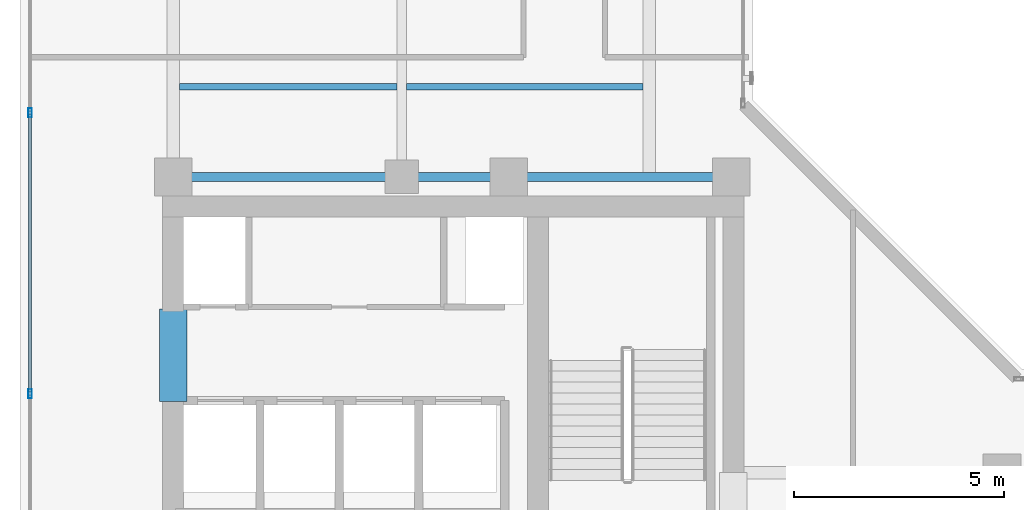
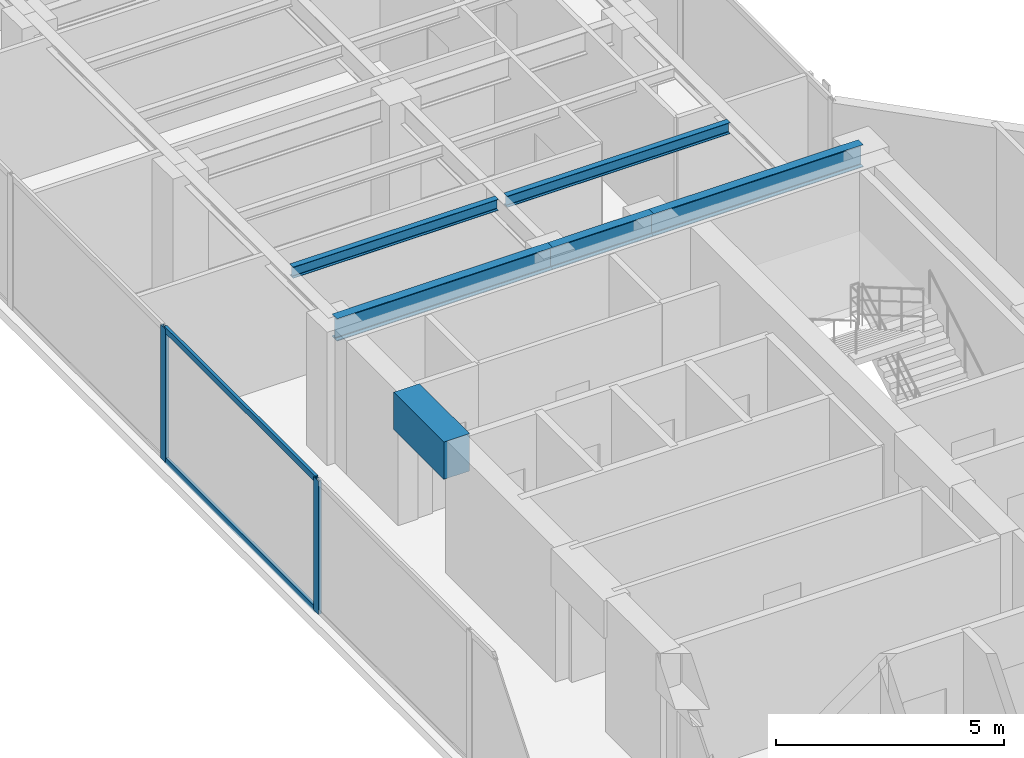
# One storey, part 7 of 22: 6 beams, 4 members, 1 element without a shape of its own.
"""IFC4 building model written with IfcOpenShell, lengths in metres."""

from ifc_helpers import new_model, si_unit, direction, frame, origin, origin_with_axes, origin_2d, place, context, subcontext, project, spatial, rectangle, hollow_rectangle, i_section, extrude, source, transform, mapped, material, layer, layer_set, material_profile, profile_set, type_object, element, aggregate, save


model = new_model("IFC4")

# Units and contexts
model_context = context("Model", 3, precision=1e-05, world=origin(), true_north=direction((0.0, 1.0)))
body_context = subcontext(model_context, "Body", "Model", "MODEL_VIEW")
ifc_project = project(units=[si_unit("LENGTHUNIT", "METRE"), si_unit("AREAUNIT", "SQUARE_METRE"), si_unit("VOLUMEUNIT", "CUBIC_METRE"), si_unit("PLANEANGLEUNIT", "RADIAN"), si_unit("MASSUNIT", "GRAM", prefix="KILO")], contexts=[model_context])

# Site, building, storey
site_placement = place(None, origin())
site = spatial("IfcSite", under=ifc_project, at=site_placement, CompositionType="ELEMENT")
building_placement = place(site_placement, origin())
building = spatial("IfcBuilding", under=site, at=building_placement, Name="Kolvaren Waterfront Exchange", CompositionType="ELEMENT")
storey_placement = place(building_placement, frame((0.0, 0.0, 308.39990234375)))
storey = spatial("IfcBuildingStorey", under=building, at=storey_placement, Name="L79", CompositionType="ELEMENT", Elevation=308.39990234375)

# Beams
ifc_material_1 = material(Name="Steel S355", Category="steel")
ifc_material_profile_1 = material_profile(ifc_material_1, i_section(OverallWidth=0.14990234375, OverallDepth=0.300048828125, WebThickness=0.007080078125, FlangeThickness=0.0107421875, FilletRadius=0.014892578125, at=origin_2d()), Name="IPE300")
ifc_profile_set_1 = profile_set([ifc_material_profile_1], Name="Steel S355")
beam_type_1 = type_object("IfcBeamType", Name="STR-BM-IPE300", PredefinedType="JOIST", material=ifc_profile_set_1)
beam_1_placement = place(storey_placement, frame((7.60205078125, 26.60009765625, 3.41015625), z_axis=(1.0, 0.0, 0.0), x_axis=(0.0, 1.0, 0.0)))
element("IfcBeam", 1, at=beam_1_placement, inside=storey, type_object=beam_type_1, Name="L79 north-arm composite joist 1A", PredefinedType="JOIST", context=body_context, shape_type="SweptSolid", body=[
    extrude(i_section(OverallWidth=0.14990234375, OverallDepth=0.300048828125, WebThickness=0.007080078125, FlangeThickness=0.0107421875, FilletRadius=0.014892578125, at=origin_2d()), origin(), (0.0, 0.0, 1.0), 5.18603515625),
])
beam_2_placement = place(storey_placement, frame((13.011962890625, 26.60009765625, 3.41015625), z_axis=(1.0, 0.0, 0.0), x_axis=(0.0, 1.0, 0.0)))
element("IfcBeam", 2, at=beam_2_placement, inside=storey, type_object=beam_type_1, Name="L79 north-arm composite joist 1B", PredefinedType="JOIST", context=body_context, shape_type="SweptSolid", body=[
    extrude(i_section(OverallWidth=0.14990234375, OverallDepth=0.300048828125, WebThickness=0.007080078125, FlangeThickness=0.0107421875, FilletRadius=0.014892578125, at=origin_2d()), origin(), (0.0, 0.0, 1.0), 5.635986328125),
])
ifc_material_profile_2 = material_profile(ifc_material_1, i_section(OverallWidth=0.219970703125, OverallDepth=0.60009765625, WebThickness=0.011962890625, FlangeThickness=0.01904296875, FilletRadius=0.02392578125, at=origin_2d()), Name="IPE600")
ifc_profile_set_2 = profile_set([ifc_material_profile_2], Name="Steel S355")
beam_type_2 = type_object("IfcBeamType", Name="STR-BM-IPE600", PredefinedType="BEAM", material=ifc_profile_set_2)
beam_3_placement = place(storey_placement, frame((7.449951171875, 24.449951171875, 3.260009765625), z_axis=(1.0, 0.0, 0.0), x_axis=(0.0, 1.0, 0.0)))
element("IfcBeam", 3, at=beam_3_placement, inside=storey, type_object=beam_type_2, Name="L79 north-arm girder 1A", PredefinedType="BEAM", context=body_context, shape_type="SweptSolid", body=[
    extrude(i_section(OverallWidth=0.219970703125, OverallDepth=0.60009765625, WebThickness=0.011962890625, FlangeThickness=0.01904296875, FilletRadius=0.02392578125, at=origin_2d()), origin(), (0.0, 0.0, 1.0), 5.449951171875),
])
beam_4_placement = place(storey_placement, frame((12.89990234375, 24.449951171875, 3.260009765625), z_axis=(1.0, 0.0, 0.0), x_axis=(0.0, 1.0, 0.0)))
element("IfcBeam", 4, at=beam_4_placement, inside=storey, type_object=beam_type_2, Name="L79 north-arm girder 1B", PredefinedType="BEAM", context=body_context, shape_type="SweptSolid", body=[
    extrude(i_section(OverallWidth=0.219970703125, OverallDepth=0.60009765625, WebThickness=0.011962890625, FlangeThickness=0.01904296875, FilletRadius=0.02392578125, at=origin_2d()), origin(), (0.0, 0.0, 1.0), 2.550048828125),
])
beam_5_placement = place(storey_placement, frame((15.449951171875, 24.449951171875, 3.260009765625), z_axis=(1.0, 0.0, 0.0), x_axis=(0.0, 1.0, 0.0)))
element("IfcBeam", 5, at=beam_5_placement, inside=storey, type_object=beam_type_2, Name="L79 north-arm girder 1C", PredefinedType="BEAM", context=body_context, shape_type="SweptSolid", body=[
    extrude(i_section(OverallWidth=0.219970703125, OverallDepth=0.60009765625, WebThickness=0.011962890625, FlangeThickness=0.01904296875, FilletRadius=0.02392578125, at=origin_2d()), origin(), (0.0, 0.0, 1.0), 5.300048828125),
])
ifc_material_2 = material(Name="Concrete C60/75", Category="concrete")
ifc_material_profile_3 = material_profile(ifc_material_2, rectangle(XDim=0.64990234375, YDim=1.0, at=origin_2d()), Name="RC-CB-1000x650")
ifc_profile_set_3 = profile_set([ifc_material_profile_3], Name="Concrete C60/75")
beam_type_3 = type_object("IfcBeamType", Name="STR-CB-1000", PredefinedType="SPANDREL", material=ifc_profile_set_3)
beam_6_placement = place(storey_placement, frame((7.449951171875, 19.10009765625, 3.06005859375), z_axis=(0.0, 1.0, 0.0), x_axis=(-1.0, 0.0, 0.0)))
element("IfcBeam", 6, at=beam_6_placement, inside=storey, type_object=beam_type_3, Name="L79 core coupling beam 5", PredefinedType="SPANDREL", context=body_context, shape_type="SweptSolid", body=[
    extrude(rectangle(XDim=0.64990234375, YDim=1.0, at=origin_2d()), origin(), (0.0, 0.0, 1.0), 2.199951171875),
])

# Curtain wall, members
ifc_material_3 = material(Name="Anodised aluminium 6063-T6", Category="aluminium")
ifc_layer = layer(ifc_material_3, 0.219970703125, Name="Anodised aluminium 6063-T6")
ifc_layer_set = layer_set([ifc_layer], Name="Anodised aluminium 6063-T6")
curtain_wall_type = type_object("IfcCurtainWallType", Name="ARC-CW-SYS2", PredefinedType="USERDEFINED", material=ifc_layer_set)
curtain_wall_placement = place(storey_placement, origin())
curtain_wall = element("IfcCurtainWall", 7, at=curtain_wall_placement, inside=storey, type_object=curtain_wall_type, Name="L79 stick curtain wall CW2 (CW-L79-W)", ObjectType="STICK CURTAIN WALL", PredefinedType="USERDEFINED")
ifc_material_profile_4 = material_profile(ifc_material_3, hollow_rectangle(XDim=0.080078125, YDim=0.219970703125, WallThickness=0.0048828125, at=origin_2d()), Name="ALU-MUL-220x80x5")
ifc_profile_set_4 = profile_set([ifc_material_profile_4], Name="Anodised aluminium 6063-T6")
member_type_1 = type_object("IfcMemberType", Name="ARC-CWM-220", PredefinedType="MULLION", material=ifc_profile_set_4)
shared_shape_1 = source(origin_with_axes(), body_context, "Body", "SweptSolid", [
    extrude(hollow_rectangle(XDim=0.080078125, YDim=0.219970703125, WallThickness=0.0048828125, at=origin_2d()), origin(), (0.0, 0.0, 1.0), 3.56005859375),
])
member_1_placement = place(storey_placement, frame((4.0400390625, 19.285888671875, 0.0), z_axis=(0.0, 0.0, 1.0), x_axis=(-1.0, 0.0, 0.0)))
member_1 = element("IfcMember", 8, at=member_1_placement, type_object=member_type_1, Name="CW2 mullion 3", PredefinedType="MULLION", context=body_context, shape_type="MappedRepresentation", body=[
    mapped(shared_shape_1, transform((0.0, 0.0, 0.0), x_axis=(1.0, 0.0, 0.0), y_axis=(0.0, 1.0, 0.0), z_axis=(0.0, 0.0, 1.0), scale=1.0)),
])
member_2_placement = place(storey_placement, frame((4.0400390625, 25.97900390625, 0.0), z_axis=(0.0, 0.0, 1.0), x_axis=(-1.0, 0.0, 0.0)))
member_2 = element("IfcMember", 9, at=member_2_placement, type_object=member_type_1, Name="CW2 mullion 4", PredefinedType="MULLION", context=body_context, shape_type="MappedRepresentation", body=[
    mapped(shared_shape_1, transform((0.0, 0.0, 0.0), x_axis=(1.0, 0.0, 0.0), y_axis=(0.0, 1.0, 0.0), z_axis=(0.0, 0.0, 1.0), scale=1.0)),
])
ifc_material_profile_5 = material_profile(ifc_material_3, hollow_rectangle(XDim=0.074951171875, YDim=0.159912109375, WallThickness=0.00439453125, at=origin_2d()), Name="ALU-TRN-160x75x4.5")
ifc_profile_set_5 = profile_set([ifc_material_profile_5], Name="Anodised aluminium 6063-T6")
member_type_2 = type_object("IfcMemberType", Name="ARC-CWT-160", PredefinedType="USERDEFINED", material=ifc_profile_set_5)
shared_shape_2 = source(origin_with_axes(), body_context, "Body", "SweptSolid", [
    extrude(hollow_rectangle(XDim=0.074951171875, YDim=0.159912109375, WallThickness=0.00439453125, at=origin_2d()), origin(), (0.0, 0.0, 1.0), 6.613037109375),
])
member_3_placement = place(storey_placement, frame((4.0400390625, 19.325927734375, 0.03759765625), z_axis=(0.0, 1.0, 0.0), x_axis=(-1.0, 0.0, 0.0)))
member_3 = element("IfcMember", 10, at=member_3_placement, type_object=member_type_2, Name="CW2 transom 3.1", ObjectType="TRANSOM", PredefinedType="USERDEFINED", context=body_context, shape_type="MappedRepresentation", body=[
    mapped(shared_shape_2, transform((0.0, 0.0, 0.0), x_axis=(1.0, 0.0, 0.0), y_axis=(0.0, 1.0, 0.0), z_axis=(0.0, 0.0, 1.0), scale=1.0)),
])
member_4_placement = place(storey_placement, frame((4.0400390625, 19.325927734375, 3.522705078125), z_axis=(0.0, 1.0, 0.0), x_axis=(-1.0, 0.0, 0.0)))
member_4 = element("IfcMember", 11, at=member_4_placement, type_object=member_type_2, Name="CW2 transom 3.2", ObjectType="TRANSOM", PredefinedType="USERDEFINED", context=body_context, shape_type="MappedRepresentation", body=[
    mapped(shared_shape_2, transform((0.0, 0.0, 0.0), x_axis=(1.0, 0.0, 0.0), y_axis=(0.0, 1.0, 0.0), z_axis=(0.0, 0.0, 1.0), scale=1.0)),
])
aggregate(curtain_wall, [member_1, member_2, member_3, member_4])

save(model, "model.ifc")
